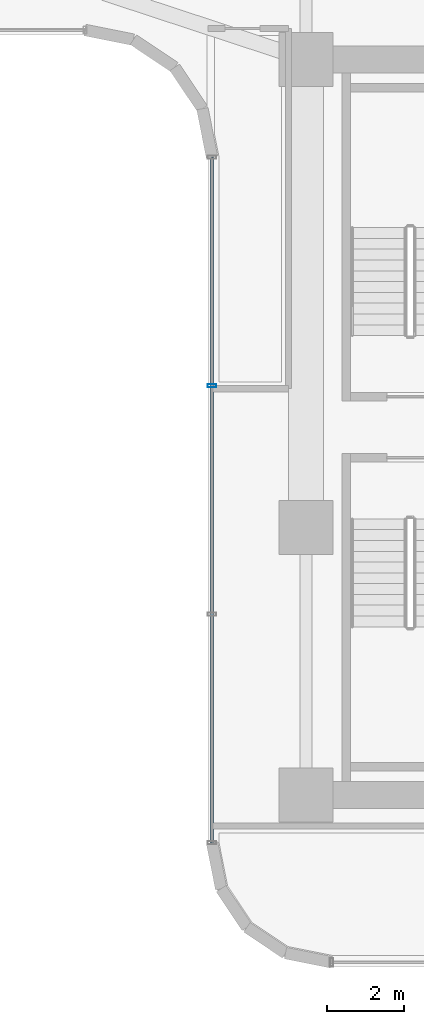
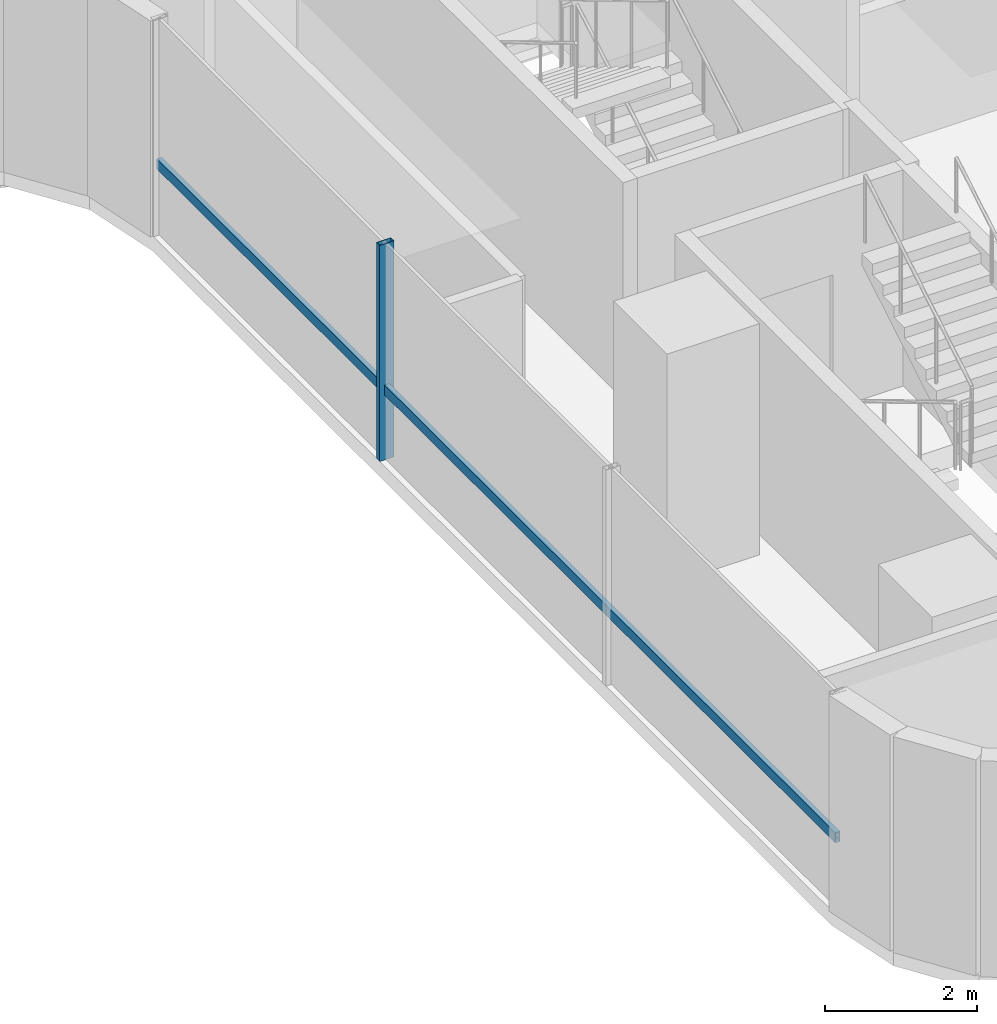
# One storey, part 14 of 41: 2 members, 1 element without a shape of its own.
"""IFC4 building model written with IfcOpenShell, lengths in metres."""

from ifc_helpers import new_model, si_unit, direction, frame, origin, origin_2d, place, context, subcontext, project, spatial, hollow_rectangle, extrude, source, transform, mapped, material, material_profile, profile_set, type_object, element, aggregate, save


model = new_model("IFC4")

# Units and contexts
model_context = context("Model", 3, precision=1e-05, world=origin(), true_north=direction((0.0, 1.0)))
body_context = subcontext(model_context, "Body", "Model", "MODEL_VIEW")
ifc_project = project(units=[si_unit("LENGTHUNIT", "METRE"), si_unit("AREAUNIT", "SQUARE_METRE"), si_unit("VOLUMEUNIT", "CUBIC_METRE"), si_unit("PLANEANGLEUNIT", "RADIAN"), si_unit("MASSUNIT", "GRAM", prefix="KILO")], contexts=[model_context])

# Site, building, storey
site_placement = place(None, origin())
site = spatial("IfcSite", under=ifc_project, at=site_placement, CompositionType="ELEMENT")
building_placement = place(site_placement, origin())
building = spatial("IfcBuilding", under=site, at=building_placement, Name="Valdorenza Pilgrim Sanctuary Tower", CompositionType="ELEMENT")
storey_placement = place(building_placement, frame((0.0, 0.0, 59.300048828125)))
storey = spatial("IfcBuildingStorey", under=building, at=storey_placement, Name="L14", CompositionType="ELEMENT", Elevation=59.300048828125)

# Curtain wall, members
ifc_material_1 = material(Name="Curtain-wall IGU glazing", Category="glass")
curtain_wall_type = type_object("IfcCurtainWallType", Name="CW-SYS-03", PredefinedType="NOTDEFINED", material=ifc_material_1)
curtain_wall_placement = place(storey_placement, origin())
curtain_wall = element("IfcCurtainWall", 1, at=curtain_wall_placement, inside=storey, type_object=curtain_wall_type, Name="L14 Curtain Wall CW-L14-1-31", PredefinedType="NOTDEFINED")
ifc_material_2 = material(Name="Anodised aluminium AW-6060", Category="aluminium")
ifc_material_profile_1 = material_profile(ifc_material_2, hollow_rectangle(XDim=0.0849609375, YDim=0.219970703125, WallThickness=0.0048828125, at=origin_2d()), Name="ALU-M 220x85x5")
ifc_profile_set_1 = profile_set([ifc_material_profile_1], Name="Anodised aluminium AW-6060")
member_type_1 = type_object("IfcMemberType", Name="CW-MUL-03", PredefinedType="MULLION", material=ifc_profile_set_1)
shared_shape_1 = source(origin(), body_context, "Body", "SweptSolid", [
    extrude(hollow_rectangle(XDim=0.0849609375, YDim=0.219970703125, WallThickness=0.0048828125, at=origin_2d()), origin(), (0.0, 0.0, 1.0), 3.4599609375),
])
member_1_placement = place(storey_placement, frame((13.409912109375, 1.077392578125, 0.0), z_axis=(0.0, 0.0, 1.0), x_axis=(0.0, 1.0, 0.0)))
member_1 = element("IfcMember", 2, at=member_1_placement, type_object=member_type_1, Name="CW-L14-1-31 Mullion 3", PredefinedType="MULLION", context=body_context, shape_type="MappedRepresentation", body=[
    mapped(shared_shape_1, transform((0.0, 0.0, 0.0), x_axis=(1.0, 0.0, 0.0), y_axis=(0.0, 1.0, 0.0), z_axis=(0.0, 0.0, 1.0), scale=1.0)),
])
ifc_material_profile_2 = material_profile(ifc_material_2, hollow_rectangle(XDim=0.074951171875, YDim=0.159912109375, WallThickness=0.00390625, at=origin_2d()), Name="ALU-T 160x75x4")
ifc_profile_set_2 = profile_set([ifc_material_profile_2], Name="Anodised aluminium AW-6060")
member_type_2 = type_object("IfcMemberType", Name="CW-TRN-03", PredefinedType="USERDEFINED", material=ifc_profile_set_2)
shared_shape_2 = source(origin(), body_context, "Body", "SweptSolid", [
    extrude(hollow_rectangle(XDim=0.074951171875, YDim=0.159912109375, WallThickness=0.00390625, at=origin_2d()), origin(), (0.0, 0.0, 1.0), 17.800048828125),
])
member_2_placement = place(storey_placement, frame((13.409912109375, -10.789306640625, 1.119873046875), z_axis=(0.0, 1.0, 0.0), x_axis=(-1.0, 0.0, 0.0)))
member_2 = element("IfcMember", 3, at=member_2_placement, type_object=member_type_2, Name="CW-L14-1-31 Transom 1", ObjectType="TRANSOM", PredefinedType="USERDEFINED", context=body_context, shape_type="MappedRepresentation", body=[
    mapped(shared_shape_2, transform((0.0, 0.0, 0.0), x_axis=(1.0, 0.0, 0.0), y_axis=(0.0, 1.0, 0.0), z_axis=(0.0, 0.0, 1.0), scale=1.0)),
])
aggregate(curtain_wall, [member_1, member_2])

save(model, "model.ifc")
